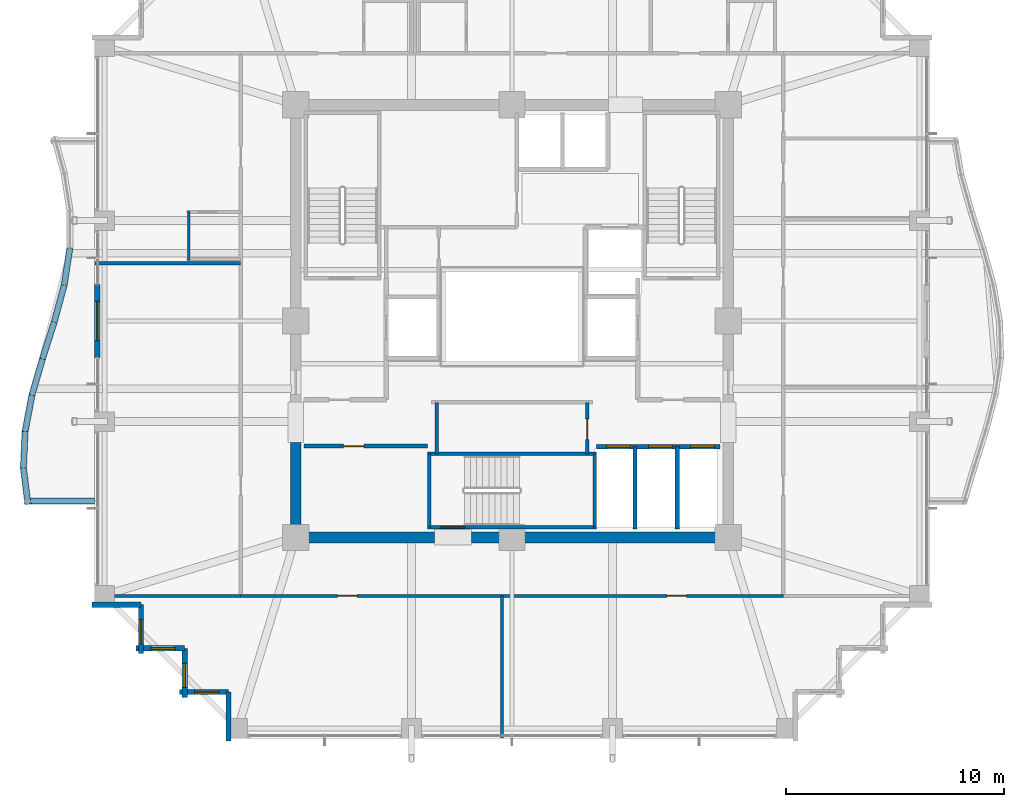
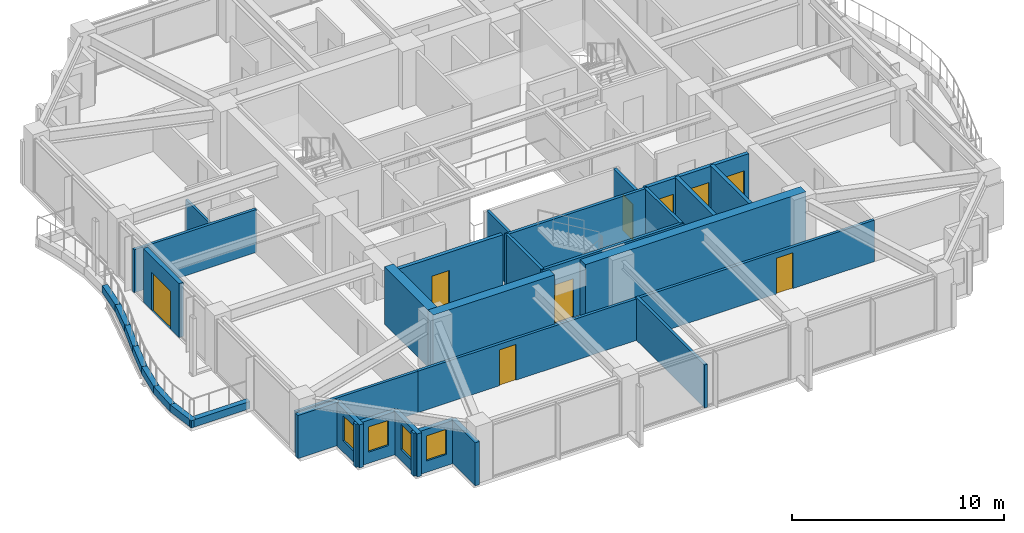
# One storey, part 30 of 35: 33 walls, 9 doors, 4 windows, 13 openings.
"""IFC4 building model written with IfcOpenShell, lengths in metres."""

from ifc_helpers import new_model, si_unit, direction, frame, frame_2d, origin, place, context, subcontext, project, spatial, rectangle, extrude, material, layer, layer_set, type_object, element, fill, save


model = new_model("IFC4")

# Units and contexts
model_context = context("Model", 3, precision=1e-05, world=origin(), true_north=direction((0.0, 1.0)))
body_context = subcontext(model_context, "Body", "Model", "MODEL_VIEW")
ifc_project = project(units=[si_unit("LENGTHUNIT", "METRE"), si_unit("AREAUNIT", "SQUARE_METRE"), si_unit("VOLUMEUNIT", "CUBIC_METRE"), si_unit("PLANEANGLEUNIT", "RADIAN"), si_unit("MASSUNIT", "GRAM", prefix="KILO")], contexts=[model_context])

# Site, building, storey
site_placement = place(None, origin())
site = spatial("IfcSite", under=ifc_project, at=site_placement, CompositionType="ELEMENT")
building_placement = place(site_placement, origin())
building = spatial("IfcBuilding", under=site, at=building_placement, Name="Kolvaren Belvedere", CompositionType="ELEMENT")
storey_placement = place(building_placement, frame((0.0, 0.0, 163.5)))
storey = spatial("IfcBuildingStorey", under=building, at=storey_placement, Name="L47", CompositionType="ELEMENT", Elevation=163.5)

# Walls
ifc_material_1 = material(Name="Concrete C50/60", Category="concrete")
ifc_layer_1 = layer(ifc_material_1, 0.5)
ifc_layer_set_1 = layer_set([ifc_layer_1], Name="Concrete C50/60")
wall_type_1 = type_object("IfcWallType", Name="CW-CORE-500", PredefinedType="SHEAR", material=ifc_layer_set_1)
wall_1_placement = place(storey_placement, frame((10.14990234375, -9.89990234375, 0.0), z_axis=(0.0, 0.0, 1.0), x_axis=(-1.0, 0.0, 0.0)))
element("IfcWall", 1, at=wall_1_placement, inside=storey, type_object=wall_type_1, Name="L47 South Core Shear Wall 1", PredefinedType="SHEAR", context=body_context, shape_type="SweptSolid", body=[
    extrude(rectangle(XDim=12.010009765625, YDim=0.5, at=frame_2d((6.0048828125, 0.0))), origin(), (0.0, 0.0, 1.0), 3.300048828125),
])
wall_2_placement = place(storey_placement, frame((-3.5400390625, -9.89990234375, 0.0), z_axis=(0.0, 0.0, 1.0), x_axis=(-1.0, 0.0, 0.0)))
element("IfcWall", 2, at=wall_2_placement, inside=storey, type_object=wall_type_1, Name="L47 South Core Shear Wall 2", PredefinedType="SHEAR", context=body_context, shape_type="SweptSolid", body=[
    extrude(rectangle(XDim=6.60986328125, YDim=0.5, at=frame_2d((3.304931640625, 0.0))), origin(), (0.0, 0.0, 1.0), 3.300048828125),
])
wall_3_placement = place(storey_placement, frame((-9.89990234375, -9.64990234375, 0.0), z_axis=(0.0, 0.0, 1.0), x_axis=(0.0, 1.0, 0.0)))
element("IfcWall", 3, at=wall_3_placement, inside=storey, type_object=wall_type_1, Name="L47 West Core Shear Wall 1", PredefinedType="SHEAR", context=body_context, shape_type="SweptSolid", body=[
    extrude(rectangle(XDim=4.099853515625, YDim=0.5, at=frame_2d((2.0498046875, 0.0))), origin(), (0.0, 0.0, 1.0), 3.300048828125),
])

# Wall, opening, door
ifc_material_2 = material(Name="Concrete C50/60", Category="concrete")
ifc_layer_2 = layer(ifc_material_2, 0.159912109375)
ifc_layer_set_2 = layer_set([ifc_layer_2], Name="Concrete C50/60")
wall_type_2 = type_object("IfcWallType", Name="CW-STAIR-160", PredefinedType="SHEAR", material=ifc_layer_set_2)
wall_4_placement = place(storey_placement, frame((3.860107421875, -9.429931640625, 0.0), z_axis=(0.0, 0.0, 1.0), x_axis=(-1.0, 0.0, 0.0)))
wall_4 = element("IfcWall", 4, at=wall_4_placement, inside=storey, type_object=wall_type_2, Name="L47 Stair ST-3 South Shear Wall", PredefinedType="SHEAR", context=body_context, shape_type="SweptSolid", body=[
    extrude(rectangle(XDim=7.72021484375, YDim=0.159912109375, at=frame_2d((3.860107421875, 0.0))), origin(), (0.0, 0.0, 1.0), 3.300048828125),
])
opening_1_placement = place(wall_4_placement, frame((6.010009765625, 0.0, 0.0)))
opening_1 = element("IfcOpeningElement", 5, at=opening_1_placement, cuts=wall_4, Name="Opening D-FD90", PredefinedType="OPENING", context=body_context, shape_type="SweptSolid", body=[
    extrude(rectangle(XDim=1.10009765625, YDim=2.199951171875, at=frame_2d((0.550048828125, 1.10009765625))), frame((0.0, 0.08984375, 0.0), z_axis=(0.0, -1.0, 0.0), x_axis=(1.0, 0.0, 0.0)), (0.0, 0.0, 1.0), 0.179931640625),
])
ifc_material_3 = material(Name="Painted hollow stainless steel", Category="steel")
door_type_1 = type_object("IfcDoorType", Name="DR-FD90-1100", OperationType="NOTDEFINED", PredefinedType="DOOR", material=ifc_material_3)
door_1_placement = place(opening_1_placement, origin())
door_1 = element("IfcDoor", 6, at=door_1_placement, inside=storey, type_object=door_type_1, Name="L47 Stair ST-3 Exit Door", OperationType="SINGLE_SWING_RIGHT", OverallHeight=2.199951171875, OverallWidth=1.10009765625, PredefinedType="DOOR", context=body_context, shape_type="SweptSolid", body=[
    extrude(rectangle(XDim=1.10009765625, YDim=2.199951171875, at=frame_2d((0.550048828125, 1.10009765625))), frame((0.0, 0.02490234375, 0.0), z_axis=(0.0, -1.0, 0.0), x_axis=(1.0, 0.0, 0.0)), (0.0, 0.0, 1.0), 0.050048828125),
])
fill(opening_1, door_1)

# Walls
wall_5_placement = place(storey_placement, frame((-3.860107421875, -6.080078125, 0.0), z_axis=(0.0, 0.0, 1.0), x_axis=(1.0, 0.0, 0.0)))
element("IfcWall", 7, at=wall_5_placement, inside=storey, type_object=wall_type_2, Name="L47 Stair ST-3 North Shear Wall", PredefinedType="SHEAR", context=body_context, shape_type="SweptSolid", body=[
    extrude(rectangle(XDim=7.72021484375, YDim=0.159912109375, at=frame_2d((3.860107421875, 0.0))), origin(), (0.0, 0.0, 1.0), 3.300048828125),
])
for number, where, z_axis, x_axis, name in (
    (8, (-3.780029296875, -9.429931640625, 0.0), (0.0, 0.0, 1.0), (0.0, 1.0, 0.0), "L47 Stair ST-3 West Shear Wall"),
    (9, (3.780029296875, -9.429931640625, 0.0), (0.0, 0.0, 1.0), (0.0, 1.0, 0.0), "L47 Stair ST-3 East Shear Wall"),
):
    element("IfcWall", number, at=place(storey_placement, frame(where, z_axis=z_axis, x_axis=x_axis)), inside=storey, type_object=wall_type_2, Name=name, PredefinedType="SHEAR", context=body_context, shape_type="SweptSolid", body=[
        extrude(rectangle(XDim=3.349853515625, YDim=0.159912109375, at=frame_2d((1.6748046875, 0.0))), origin(), (0.0, 0.0, 1.0), 3.300048828125),
    ])

# Wall, openings, doors
ifc_material_4 = material(Name="Gypsum fire-rated partition assembly", Category="gypsum")
ifc_layer_3 = layer(ifc_material_4, 0.14990234375)
ifc_layer_set_3 = layer_set([ifc_layer_3], Name="Gypsum fire-rated partition assembly")
wall_type_3 = type_object("IfcWallType", Name="WL-CORR-150", PredefinedType="PARTITIONING", material=ifc_layer_set_3)
wall_6_placement = place(storey_placement, frame((-12.419921875, -12.580078125, 0.0), z_axis=(0.0, 0.0, 1.0), x_axis=(1.0, 0.0, 0.0)))
wall_6 = element("IfcWall", 10, at=wall_6_placement, inside=storey, type_object=wall_type_3, Name="L47 South Corridor Wall", PredefinedType="PARTITIONING", context=body_context, shape_type="SweptSolid", body=[
    extrude(rectangle(XDim=24.83984375, YDim=0.14990234375, at=frame_2d((12.419921875, 0.0))), origin(), (0.0, 0.0, 1.0), 2.388916015625),
])
opening_2_placement = place(wall_6_placement, frame((4.43505859375, 0.0, 0.0)))
opening_2 = element("IfcOpeningElement", 11, at=opening_2_placement, cuts=wall_6, Name="Opening D-INT90", PredefinedType="OPENING", context=body_context, shape_type="SweptSolid", body=[
    extrude(rectangle(XDim=0.89990234375, YDim=2.06005859375, at=frame_2d((0.449951171875, 1.030029296875))), frame((0.0, 0.0849609375, 0.0), z_axis=(0.0, -1.0, 0.0), x_axis=(1.0, 0.0, 0.0)), (0.0, 0.0, 1.0), 0.169921875),
])
opening_3_placement = place(wall_6_placement, frame((19.5048828125, 0.0, 0.0)))
opening_3 = element("IfcOpeningElement", 12, at=opening_3_placement, cuts=wall_6, Name="Opening D-INT90", PredefinedType="OPENING", context=body_context, shape_type="SweptSolid", body=[
    extrude(rectangle(XDim=0.89990234375, YDim=2.06005859375, at=frame_2d((0.449951171875, 1.030029296875))), frame((0.0, 0.0849609375, 0.0), z_axis=(0.0, -1.0, 0.0), x_axis=(1.0, 0.0, 0.0)), (0.0, 0.0, 1.0), 0.169921875),
])
ifc_material_5 = material(Name="Stained Pacific white oak", Category="timber")
door_type_2 = type_object("IfcDoorType", Name="DR-INT-900", OperationType="NOTDEFINED", PredefinedType="DOOR", material=ifc_material_5)
door_2_placement = place(opening_2_placement, origin())
door_2 = element("IfcDoor", 13, at=door_2_placement, inside=storey, type_object=door_type_2, Name="L47 Lounge 4701 Door", OperationType="SINGLE_SWING_LEFT", OverallHeight=2.06005859375, OverallWidth=0.89990234375, PredefinedType="DOOR", context=body_context, shape_type="SweptSolid", body=[
    extrude(rectangle(XDim=0.89990234375, YDim=2.06005859375, at=frame_2d((0.449951171875, 1.030029296875))), frame((0.0, 0.02490234375, 0.0), z_axis=(0.0, -1.0, 0.0), x_axis=(1.0, 0.0, 0.0)), (0.0, 0.0, 1.0), 0.050048828125),
])
fill(opening_2, door_2)
door_3_placement = place(opening_3_placement, origin())
door_3 = element("IfcDoor", 14, at=door_3_placement, inside=storey, type_object=door_type_2, Name="L47 Lounge 4702 Door", OperationType="SINGLE_SWING_RIGHT", OverallHeight=2.06005859375, OverallWidth=0.89990234375, PredefinedType="DOOR", context=body_context, shape_type="SweptSolid", body=[
    extrude(rectangle(XDim=0.89990234375, YDim=2.06005859375, at=frame_2d((0.449951171875, 1.030029296875))), frame((0.0, 0.02490234375, 0.0), z_axis=(0.0, -1.0, 0.0), x_axis=(1.0, 0.0, 0.0)), (0.0, 0.0, 1.0), 0.050048828125),
])
fill(opening_3, door_3)

# Wall, opening, door
ifc_material_6 = material(Name="Insulated pale-metal facade wall assembly", Category="aluminium")
ifc_layer_4 = layer(ifc_material_6, 0.239990234375)
ifc_layer_set_4 = layer_set([ifc_layer_4], Name="Insulated pale-metal facade wall assembly")
wall_type_4 = type_object("IfcWallType", Name="WL-EXT-240", PredefinedType="STANDARD", material=ifc_layer_set_4)
wall_7_placement = place(storey_placement, frame((-18.97998046875, -1.679931640625, 0.0), z_axis=(0.0, 0.0, 1.0), x_axis=(0.0, 1.0, 0.0)))
wall_7 = element("IfcWall", 15, at=wall_7_placement, inside=storey, type_object=wall_type_4, Name="L47 West Terrace Portal Wall", PredefinedType="STANDARD", context=body_context, shape_type="SweptSolid", body=[
    extrude(rectangle(XDim=3.35986328125, YDim=0.239990234375, at=frame_2d((1.679931640625, 0.0))), origin(), (0.0, 0.0, 1.0), 3.10009765625),
])
opening_4_placement = place(wall_7_placement, frame((0.780029296875, 0.0, 0.0)))
opening_4 = element("IfcOpeningElement", 16, at=opening_4_placement, cuts=wall_7, Name="Opening DB-1800", PredefinedType="OPENING", context=body_context, shape_type="SweptSolid", body=[
    extrude(rectangle(XDim=1.800048828125, YDim=2.199951171875, at=frame_2d((0.89990234375, 1.10009765625))), frame((0.0, 0.1298828125, 0.0), z_axis=(0.0, -1.0, 0.0), x_axis=(1.0, 0.0, 0.0)), (0.0, 0.0, 1.0), 0.260009765625),
])
ifc_material_7 = material(Name="Thermally broken pale-metal aluminium & low-iron glass", Category="aluminium")
door_type_3 = type_object("IfcDoorType", Name="DR-BAL-1800", OperationType="DOUBLE_DOOR_SLIDING", PredefinedType="DOOR", material=ifc_material_7)
door_4_placement = place(opening_4_placement, origin())
door_4 = element("IfcDoor", 17, at=door_4_placement, inside=storey, type_object=door_type_3, Name="L47 West Planted Terrace Sliding Door", OperationType="DOUBLE_DOOR_SLIDING", OverallHeight=2.199951171875, OverallWidth=1.800048828125, PredefinedType="DOOR", context=body_context, shape_type="SweptSolid", body=[
    extrude(rectangle(XDim=1.800048828125, YDim=2.199951171875, at=frame_2d((0.89990234375, 1.10009765625))), frame((0.0, 0.02490234375, 0.0), z_axis=(0.0, -1.0, 0.0), x_axis=(1.0, 0.0, 0.0)), (0.0, 0.0, 1.0), 0.050048828125),
])
fill(opening_4, door_4)

# Wall
wall_8_placement = place(storey_placement, frame((-16.97998046875, -12.97998046875, 0.0), z_axis=(0.0, 0.0, 1.0), x_axis=(-1.0, 0.0, 0.0)))
element("IfcWall", 18, at=wall_8_placement, inside=storey, type_object=wall_type_4, Name="L47 Serrated Corner Facade Wall 23", PredefinedType="STANDARD", context=body_context, shape_type="SweptSolid", body=[
    extrude(rectangle(XDim=2.239990234375, YDim=0.239990234375, at=frame_2d((1.1201171875, 0.0))), origin(), (0.0, 0.0, 1.0), 2.48291015625),
])

# Wall, opening, window
wall_9_placement = place(storey_placement, frame((-16.97998046875, -15.219970703125, 0.0), z_axis=(0.0, 0.0, 1.0), x_axis=(0.0, 1.0, 0.0)))
wall_9 = element("IfcWall", 19, at=wall_9_placement, inside=storey, type_object=wall_type_4, Name="L47 Serrated Corner Facade Wall 24", PredefinedType="STANDARD", context=body_context, shape_type="SweptSolid", body=[
    extrude(rectangle(XDim=2.239990234375, YDim=0.239990234375, at=frame_2d((1.1201171875, 0.0))), origin(), (0.0, 0.0, 1.0), 2.48291015625),
])
opening_5_placement = place(wall_9_placement, frame((0.449951171875, 0.0, 0.64990234375)))
opening_5 = element("IfcOpeningElement", 20, at=opening_5_placement, cuts=wall_9, Name="Opening W-1100", PredefinedType="OPENING", context=body_context, shape_type="SweptSolid", body=[
    extrude(rectangle(XDim=1.10009765625, YDim=1.449951171875, at=frame_2d((0.550048828125, 0.72509765625))), frame((0.0, 0.1298828125, 0.0), z_axis=(0.0, -1.0, 0.0), x_axis=(1.0, 0.0, 0.0)), (0.0, 0.0, 1.0), 0.260009765625),
])
ifc_material_8 = material(Name="Low-iron triple insulated glass", Category="glass")
window_type = type_object("IfcWindowType", Name="WN-CORN-1100", PartitioningType="SINGLE_PANEL", PredefinedType="WINDOW", material=ifc_material_8)
window_1_placement = place(opening_5_placement, origin())
window_1 = element("IfcWindow", 21, at=window_1_placement, inside=storey, type_object=window_type, Name="L47 Serrated Corner Vision Window 24", OverallHeight=1.449951171875, OverallWidth=1.10009765625, PartitioningType="SINGLE_PANEL", PredefinedType="WINDOW", context=body_context, shape_type="SweptSolid", body=[
    extrude(rectangle(XDim=1.10009765625, YDim=1.449951171875, at=frame_2d((0.550048828125, 0.72509765625))), frame((0.0, 0.030029296875, 0.0), z_axis=(0.0, -1.0, 0.0), x_axis=(1.0, 0.0, 0.0)), (0.0, 0.0, 1.0), 0.06005859375),
])
fill(opening_5, window_1)

wall_10_placement = place(storey_placement, frame((-14.97998046875, -14.97998046875, 0.0), z_axis=(0.0, 0.0, 1.0), x_axis=(-1.0, 0.0, 0.0)))
wall_10 = element("IfcWall", 22, at=wall_10_placement, inside=storey, type_object=wall_type_4, Name="L47 Serrated Corner Facade Wall 25", PredefinedType="STANDARD", context=body_context, shape_type="SweptSolid", body=[
    extrude(rectangle(XDim=2.239990234375, YDim=0.239990234375, at=frame_2d((1.1201171875, 0.0))), origin(), (0.0, 0.0, 1.0), 2.48291015625),
])
opening_6_placement = place(wall_10_placement, frame((0.449951171875, 0.0, 0.64990234375)))
opening_6 = element("IfcOpeningElement", 23, at=opening_6_placement, cuts=wall_10, Name="Opening W-1100", PredefinedType="OPENING", context=body_context, shape_type="SweptSolid", body=[
    extrude(rectangle(XDim=1.10009765625, YDim=1.449951171875, at=frame_2d((0.550048828125, 0.72509765625))), frame((0.0, 0.1298828125, 0.0), z_axis=(0.0, -1.0, 0.0), x_axis=(1.0, 0.0, 0.0)), (0.0, 0.0, 1.0), 0.260009765625),
])
window_2_placement = place(opening_6_placement, origin())
window_2 = element("IfcWindow", 24, at=window_2_placement, inside=storey, type_object=window_type, Name="L47 Serrated Corner Vision Window 25", OverallHeight=1.449951171875, OverallWidth=1.10009765625, PartitioningType="SINGLE_PANEL", PredefinedType="WINDOW", context=body_context, shape_type="SweptSolid", body=[
    extrude(rectangle(XDim=1.10009765625, YDim=1.449951171875, at=frame_2d((0.550048828125, 0.72509765625))), frame((0.0, 0.030029296875, 0.0), z_axis=(0.0, -1.0, 0.0), x_axis=(1.0, 0.0, 0.0)), (0.0, 0.0, 1.0), 0.06005859375),
])
fill(opening_6, window_2)

wall_11_placement = place(storey_placement, frame((-14.97998046875, -17.219970703125, 0.0), z_axis=(0.0, 0.0, 1.0), x_axis=(0.0, 1.0, 0.0)))
wall_11 = element("IfcWall", 25, at=wall_11_placement, inside=storey, type_object=wall_type_4, Name="L47 Serrated Corner Facade Wall 26", PredefinedType="STANDARD", context=body_context, shape_type="SweptSolid", body=[
    extrude(rectangle(XDim=2.239990234375, YDim=0.239990234375, at=frame_2d((1.1201171875, 0.0))), origin(), (0.0, 0.0, 1.0), 2.48291015625),
])
opening_7_placement = place(wall_11_placement, frame((0.449951171875, 0.0, 0.64990234375)))
opening_7 = element("IfcOpeningElement", 26, at=opening_7_placement, cuts=wall_11, Name="Opening W-1100", PredefinedType="OPENING", context=body_context, shape_type="SweptSolid", body=[
    extrude(rectangle(XDim=1.10009765625, YDim=1.449951171875, at=frame_2d((0.550048828125, 0.72509765625))), frame((0.0, 0.1298828125, 0.0), z_axis=(0.0, -1.0, 0.0), x_axis=(1.0, 0.0, 0.0)), (0.0, 0.0, 1.0), 0.260009765625),
])
window_3_placement = place(opening_7_placement, origin())
window_3 = element("IfcWindow", 27, at=window_3_placement, inside=storey, type_object=window_type, Name="L47 Serrated Corner Vision Window 26", OverallHeight=1.449951171875, OverallWidth=1.10009765625, PartitioningType="SINGLE_PANEL", PredefinedType="WINDOW", context=body_context, shape_type="SweptSolid", body=[
    extrude(rectangle(XDim=1.10009765625, YDim=1.449951171875, at=frame_2d((0.550048828125, 0.72509765625))), frame((0.0, 0.030029296875, 0.0), z_axis=(0.0, -1.0, 0.0), x_axis=(1.0, 0.0, 0.0)), (0.0, 0.0, 1.0), 0.06005859375),
])
fill(opening_7, window_3)

wall_12_placement = place(storey_placement, frame((-12.97998046875, -16.97998046875, 0.0), z_axis=(0.0, 0.0, 1.0), x_axis=(-1.0, 0.0, 0.0)))
wall_12 = element("IfcWall", 28, at=wall_12_placement, inside=storey, type_object=wall_type_4, Name="L47 Serrated Corner Facade Wall 27", PredefinedType="STANDARD", context=body_context, shape_type="SweptSolid", body=[
    extrude(rectangle(XDim=2.239990234375, YDim=0.239990234375, at=frame_2d((1.1201171875, 0.0))), origin(), (0.0, 0.0, 1.0), 2.48291015625),
])
opening_8_placement = place(wall_12_placement, frame((0.449951171875, 0.0, 0.64990234375)))
opening_8 = element("IfcOpeningElement", 29, at=opening_8_placement, cuts=wall_12, Name="Opening W-1100", PredefinedType="OPENING", context=body_context, shape_type="SweptSolid", body=[
    extrude(rectangle(XDim=1.10009765625, YDim=1.449951171875, at=frame_2d((0.550048828125, 0.72509765625))), frame((0.0, 0.1298828125, 0.0), z_axis=(0.0, -1.0, 0.0), x_axis=(1.0, 0.0, 0.0)), (0.0, 0.0, 1.0), 0.260009765625),
])
window_4_placement = place(opening_8_placement, origin())
window_4 = element("IfcWindow", 30, at=window_4_placement, inside=storey, type_object=window_type, Name="L47 Serrated Corner Vision Window 27", OverallHeight=1.449951171875, OverallWidth=1.10009765625, PartitioningType="SINGLE_PANEL", PredefinedType="WINDOW", context=body_context, shape_type="SweptSolid", body=[
    extrude(rectangle(XDim=1.10009765625, YDim=1.449951171875, at=frame_2d((0.550048828125, 0.72509765625))), frame((0.0, 0.030029296875, 0.0), z_axis=(0.0, -1.0, 0.0), x_axis=(1.0, 0.0, 0.0)), (0.0, 0.0, 1.0), 0.06005859375),
])
fill(opening_8, window_4)

# Wall
wall_13_placement = place(storey_placement, frame((-12.97998046875, -19.219970703125, 0.0), z_axis=(0.0, 0.0, 1.0), x_axis=(0.0, 1.0, 0.0)))
element("IfcWall", 31, at=wall_13_placement, inside=storey, type_object=wall_type_4, Name="L47 Serrated Corner Facade Wall 28", PredefinedType="STANDARD", context=body_context, shape_type="SweptSolid", body=[
    extrude(rectangle(XDim=2.239990234375, YDim=0.239990234375, at=frame_2d((1.1201171875, 0.0))), origin(), (0.0, 0.0, 1.0), 2.48291015625),
])

# Wall, opening, door
ifc_material_9 = material(Name="Gypsum acoustic partition assembly", Category="gypsum")
ifc_layer_5 = layer(ifc_material_9, 0.14990234375)
ifc_layer_set_5 = layer_set([ifc_layer_5], Name="Gypsum acoustic partition assembly")
wall_type_5 = type_object("IfcWallType", Name="WL-PART-150", PredefinedType="PARTITIONING", material=ifc_layer_set_5)
wall_14_placement = place(storey_placement, frame((3.449951171875, -6.080078125, 0.0), z_axis=(0.0, 0.0, 1.0), x_axis=(0.0, 1.0, 0.0)))
wall_14 = element("IfcWall", 32, at=wall_14_placement, inside=storey, type_object=wall_type_5, Name="L47 South Core Service East Wall", PredefinedType="PARTITIONING", context=body_context, shape_type="SweptSolid", body=[
    extrude(rectangle(XDim=2.360107421875, YDim=0.14990234375, at=frame_2d((1.18017578125, 0.0))), origin(), (0.0, 0.0, 1.0), 3.10009765625),
])
opening_9_placement = place(wall_14_placement, frame((0.64990234375, 0.0, 0.0)))
opening_9 = element("IfcOpeningElement", 33, at=opening_9_placement, cuts=wall_14, Name="Opening D-FD60", PredefinedType="OPENING", context=body_context, shape_type="SweptSolid", body=[
    extrude(rectangle(XDim=0.949951171875, YDim=2.06005859375, at=frame_2d((0.47509765625, 1.030029296875))), frame((0.0, 0.0849609375, 0.0), z_axis=(0.0, -1.0, 0.0), x_axis=(1.0, 0.0, 0.0)), (0.0, 0.0, 1.0), 0.169921875),
])
ifc_material_10 = material(Name="Acoustic white-oak fire door leaf", Category="timber")
door_type_4 = type_object("IfcDoorType", Name="DR-FD60-950", OperationType="NOTDEFINED", PredefinedType="DOOR", material=ifc_material_10)
door_5_placement = place(opening_9_placement, origin())
door_5 = element("IfcDoor", 34, at=door_5_placement, inside=storey, type_object=door_type_4, Name="L47 Core Service Room Door", OperationType="SINGLE_SWING_LEFT", OverallHeight=2.06005859375, OverallWidth=0.949951171875, PredefinedType="DOOR", context=body_context, shape_type="SweptSolid", body=[
    extrude(rectangle(XDim=0.949951171875, YDim=2.06005859375, at=frame_2d((0.47509765625, 1.030029296875))), frame((0.0, 0.02490234375, 0.0), z_axis=(0.0, -1.0, 0.0), x_axis=(1.0, 0.0, 0.0)), (0.0, 0.0, 1.0), 0.050048828125),
])
fill(opening_9, door_5)

# Walls
wall_15_placement = place(storey_placement, frame((-3.449951171875, -6.080078125, 0.0), z_axis=(0.0, 0.0, 1.0), x_axis=(0.0, 1.0, 0.0)))
element("IfcWall", 35, at=wall_15_placement, inside=storey, type_object=wall_type_5, Name="L47 South Core Service West Wall", PredefinedType="PARTITIONING", context=body_context, shape_type="SweptSolid", body=[
    extrude(rectangle(XDim=2.360107421875, YDim=0.14990234375, at=frame_2d((1.18017578125, 0.0))), origin(), (0.0, 0.0, 1.0), 3.10009765625),
])
wall_16_placement = place(storey_placement, frame((-19.080078125, -12.580078125, 0.0), z_axis=(0.0, 0.0, 1.0), x_axis=(1.0, 0.0, 0.0)))
element("IfcWall", 36, at=wall_16_placement, inside=storey, type_object=wall_type_5, Name="L47 Wing Divider PW-L47-QSW", PredefinedType="PARTITIONING", context=body_context, shape_type="SweptSolid", body=[
    extrude(rectangle(XDim=6.66015625, YDim=0.14990234375, at=frame_2d((3.330078125, 0.0))), origin(), (0.0, 0.0, 1.0), 2.388916015625),
])
wall_17_placement = place(storey_placement, frame((-0.4599609375, -19.080078125, 0.0), z_axis=(0.0, 0.0, 1.0), x_axis=(0.0, 1.0, 0.0)))
element("IfcWall", 37, at=wall_17_placement, inside=storey, type_object=wall_type_5, Name="L47 South Suite Demising Wall 1", PredefinedType="PARTITIONING", context=body_context, shape_type="SweptSolid", body=[
    extrude(rectangle(XDim=6.5, YDim=0.14990234375, at=frame_2d((3.25, 0.0))), origin(), (0.0, 0.0, 1.0), 2.472900390625),
])
wall_18_placement = place(storey_placement, frame((-19.080078125, 2.64404296875, 0.0), z_axis=(0.0, 0.0, 1.0), x_axis=(1.0, 0.0, 0.0)))
element("IfcWall", 38, at=wall_18_placement, inside=storey, type_object=wall_type_5, Name="L47 West Suite Demising Wall 1", PredefinedType="PARTITIONING", context=body_context, shape_type="SweptSolid", body=[
    extrude(rectangle(XDim=6.66015625, YDim=0.14990234375, at=frame_2d((3.330078125, 0.0))), origin(), (0.0, 0.0, 1.0), 2.472900390625),
])
ifc_material_11 = material(Name="Precast concrete C40/50", Category="concrete")
ifc_layer_6 = layer(ifc_material_11, 0.300048828125)
ifc_layer_set_6 = layer_set([ifc_layer_6], Name="Precast concrete C40/50")
wall_type_6 = type_object("IfcWallType", Name="WL-PLANTER-300", PredefinedType="PARAPET", material=ifc_layer_set_6)
wall_19_placement = place(storey_placement, frame((-20.23583984375, 3.335693359375, -0.02001953125), z_axis=(0.0, 0.0, 1.0), x_axis=(-0.152229849666, -0.988345118302, 0.0)))
element("IfcWall", 39, at=wall_19_placement, inside=storey, type_object=wall_type_6, Name="L47 Precast Structural Planter Wall BAL-W-4", PredefinedType="PARAPET", context=body_context, shape_type="SweptSolid", body=[
    extrude(rectangle(XDim=1.699951171875, YDim=0.280029296875, at=frame_2d((0.85009765625, 0.0))), origin(), (0.0, 0.0, 1.0), 0.419921875),
])
wall_20_placement = place(storey_placement, frame((-20.498291015625, 1.63818359375, -0.02001953125), z_axis=(0.0, 0.0, 1.0), x_axis=(-0.260682852326, -0.965424492388, 0.0)))
element("IfcWall", 40, at=wall_20_placement, inside=storey, type_object=wall_type_6, Name="L47 Precast Structural Planter Wall BAL-W-5", PredefinedType="PARAPET", context=body_context, shape_type="SweptSolid", body=[
    extrude(rectangle(XDim=1.739990234375, YDim=0.280029296875, at=frame_2d((0.8701171875, 0.0))), origin(), (0.0, 0.0, 1.0), 0.419921875),
])
wall_21_placement = place(storey_placement, frame((-20.953857421875, -0.048583984375, -0.02001953125), z_axis=(0.0, 0.0, 1.0), x_axis=(-0.304032153573, -0.952661770826, 0.0)))
element("IfcWall", 41, at=wall_21_placement, inside=storey, type_object=wall_type_6, Name="L47 Precast Structural Planter Wall BAL-W-6", PredefinedType="PARAPET", context=body_context, shape_type="SweptSolid", body=[
    extrude(rectangle(XDim=1.763427734375, YDim=0.280029296875, at=frame_2d((0.8818359375, 0.0))), origin(), (0.0, 0.0, 1.0), 0.419921875),
])
wall_22_placement = place(storey_placement, frame((-21.48876953125, -1.724609375, -0.02001953125), z_axis=(0.0, 0.0, 1.0), x_axis=(-0.277817391164, -0.960633903819, 0.0)))
element("IfcWall", 42, at=wall_22_placement, inside=storey, type_object=wall_type_6, Name="L47 Precast Structural Planter Wall BAL-W-7", PredefinedType="PARAPET", context=body_context, shape_type="SweptSolid", body=[
    extrude(rectangle(XDim=1.748779296875, YDim=0.280029296875, at=frame_2d((0.87451171875, 0.0))), origin(), (0.0, 0.0, 1.0), 0.419921875),
])
wall_23_placement = place(storey_placement, frame((-21.97119140625, -3.3896484375, -0.02001953125), z_axis=(0.0, 0.0, 1.0), x_axis=(-0.184814532932, -0.982773416621, 0.0)))
element("IfcWall", 43, at=wall_23_placement, inside=storey, type_object=wall_type_6, Name="L47 Precast Structural Planter Wall BAL-W-8", PredefinedType="PARAPET", context=body_context, shape_type="SweptSolid", body=[
    extrude(rectangle(XDim=1.70947265625, YDim=0.280029296875, at=frame_2d((0.854736328125, 0.0))), origin(), (0.0, 0.0, 1.0), 0.419921875),
])
wall_24_placement = place(storey_placement, frame((-22.284423828125, -5.047119140625, -0.02001953125), z_axis=(0.0, 0.0, 1.0), x_axis=(-0.044999415011, -0.998987013253, 0.0)))
element("IfcWall", 44, at=wall_24_placement, inside=storey, type_object=wall_type_6, Name="L47 Precast Structural Planter Wall BAL-W-9", PredefinedType="PARAPET", context=body_context, shape_type="SweptSolid", body=[
    extrude(rectangle(XDim=1.681884765625, YDim=0.280029296875, at=frame_2d((0.8408203125, 0.0))), origin(), (0.0, 0.0, 1.0), 0.419921875),
])
wall_25_placement = place(storey_placement, frame((-22.361083984375, -6.700439453125, -0.02001953125), z_axis=(0.0, 0.0, 1.0), x_axis=(0.121868867697, -0.992546210051, 0.0)))
element("IfcWall", 45, at=wall_25_placement, inside=storey, type_object=wall_type_6, Name="L47 Precast Structural Planter Wall BAL-W-10", PredefinedType="PARAPET", context=body_context, shape_type="SweptSolid", body=[
    extrude(rectangle(XDim=1.69287109375, YDim=0.280029296875, at=frame_2d((0.846435546875, 0.0))), origin(), (0.0, 0.0, 1.0), 0.419921875),
])
wall_26_placement = place(storey_placement, frame((-22.313720703125, -8.239990234375, -0.02001953125), z_axis=(0.0, 0.0, 1.0), x_axis=(1.0, 0.0, 0.0)))
element("IfcWall", 46, at=wall_26_placement, inside=storey, type_object=wall_type_6, Name="L47 Precast Structural Planter Wall BAL-W-11", PredefinedType="PARAPET", context=body_context, shape_type="SweptSolid", body=[
    extrude(rectangle(XDim=3.213623046875, YDim=0.280029296875, at=frame_2d((1.60693359375, 0.0))), origin(), (0.0, 0.0, 1.0), 0.419921875),
])

# Wall, opening, door
ifc_material_12 = material(Name="Concrete C50/60", Category="concrete")
ifc_layer_7 = layer(ifc_material_12, 0.199951171875)
ifc_layer_set_7 = layer_set([ifc_layer_7], Name="Concrete C50/60")
wall_type_7 = type_object("IfcWallType", Name="WL-SHAFT-200", PredefinedType="SOLIDWALL", material=ifc_layer_set_7)
wall_27_placement = place(storey_placement, frame((-9.52001953125, -5.719970703125, 0.0), z_axis=(0.0, 0.0, 1.0), x_axis=(1.0, 0.0, 0.0)))
wall_27 = element("IfcWall", 47, at=wall_27_placement, inside=storey, type_object=wall_type_7, Name="L47 Reclaimed Mid Room North Wall", PredefinedType="SOLIDWALL", context=body_context, shape_type="SweptSolid", body=[
    extrude(rectangle(XDim=5.659912109375, YDim=0.199951171875, at=frame_2d((2.830078125, 0.0))), origin(), (0.0, 0.0, 1.0), 3.10009765625),
])
opening_10_placement = place(wall_27_placement, frame((1.800048828125, 0.0, 0.0)))
opening_10 = element("IfcOpeningElement", 48, at=opening_10_placement, cuts=wall_27, Name="Opening D-FD60", PredefinedType="OPENING", context=body_context, shape_type="SweptSolid", body=[
    extrude(rectangle(XDim=0.949951171875, YDim=2.06005859375, at=frame_2d((0.47509765625, 1.030029296875))), frame((0.0, 0.10986328125, 0.0), z_axis=(0.0, -1.0, 0.0), x_axis=(1.0, 0.0, 0.0)), (0.0, 0.0, 1.0), 0.219970703125),
])
door_6_placement = place(opening_10_placement, origin())
door_6 = element("IfcDoor", 49, at=door_6_placement, inside=storey, type_object=door_type_4, Name="L47 Sky Sommelier & Tasting Room Entry Door", OperationType="SINGLE_SWING_LEFT", OverallHeight=2.06005859375, OverallWidth=0.949951171875, PredefinedType="DOOR", context=body_context, shape_type="SweptSolid", body=[
    extrude(rectangle(XDim=0.949951171875, YDim=2.06005859375, at=frame_2d((0.47509765625, 1.030029296875))), frame((0.0, 0.02490234375, 0.0), z_axis=(0.0, -1.0, 0.0), x_axis=(1.0, 0.0, 0.0)), (0.0, 0.0, 1.0), 0.050048828125),
])
fill(opening_10, door_6)

# Wall, openings, doors
wall_28_placement = place(storey_placement, frame((3.860107421875, -5.75, 0.0), z_axis=(0.0, 0.0, 1.0), x_axis=(1.0, 0.0, 0.0)))
wall_28 = element("IfcWall", 50, at=wall_28_placement, inside=storey, type_object=wall_type_7, Name="L47 High-Rise Lift Bank Front Wall", PredefinedType="SOLIDWALL", context=body_context, shape_type="SweptSolid", body=[
    extrude(rectangle(XDim=5.659912109375, YDim=0.199951171875, at=frame_2d((2.830078125, 0.0))), origin(), (0.0, 0.0, 1.0), 3.10009765625),
])
opening_11_placement = place(wall_28_placement, frame((0.4599609375, 0.0, 0.0)))
opening_11 = element("IfcOpeningElement", 51, at=opening_11_placement, cuts=wall_28, Name="Opening LD-11", PredefinedType="OPENING", context=body_context, shape_type="SweptSolid", body=[
    extrude(rectangle(XDim=1.10009765625, YDim=2.199951171875, at=frame_2d((0.550048828125, 1.10009765625))), frame((0.0, 0.10986328125, 0.0), z_axis=(0.0, -1.0, 0.0), x_axis=(1.0, 0.0, 0.0)), (0.0, 0.0, 1.0), 0.219970703125),
])
opening_12_placement = place(wall_28_placement, frame((2.389892578125, 0.0, 0.0)))
opening_12 = element("IfcOpeningElement", 52, at=opening_12_placement, cuts=wall_28, Name="Opening LD-11", PredefinedType="OPENING", context=body_context, shape_type="SweptSolid", body=[
    extrude(rectangle(XDim=1.10009765625, YDim=2.199951171875, at=frame_2d((0.550048828125, 1.10009765625))), frame((0.0, 0.10986328125, 0.0), z_axis=(0.0, -1.0, 0.0), x_axis=(1.0, 0.0, 0.0)), (0.0, 0.0, 1.0), 0.219970703125),
])
opening_13_placement = place(wall_28_placement, frame((4.320068359375, 0.0, 0.0)))
opening_13 = element("IfcOpeningElement", 53, at=opening_13_placement, cuts=wall_28, Name="Opening LD-11", PredefinedType="OPENING", context=body_context, shape_type="SweptSolid", body=[
    extrude(rectangle(XDim=1.10009765625, YDim=2.199951171875, at=frame_2d((0.550048828125, 1.10009765625))), frame((0.0, 0.10986328125, 0.0), z_axis=(0.0, -1.0, 0.0), x_axis=(1.0, 0.0, 0.0)), (0.0, 0.0, 1.0), 0.219970703125),
])
ifc_material_13 = material(Name="Brushed stainless steel", Category="steel")
door_type_5 = type_object("IfcDoorType", Name="DR-LIFT-1100", OperationType="DOUBLE_DOOR_SLIDING", PredefinedType="DOOR", material=ifc_material_13)
door_7_placement = place(opening_11_placement, origin())
door_7 = element("IfcDoor", 54, at=door_7_placement, inside=storey, type_object=door_type_5, Name="L47 Passenger Lift P7 Landing Door", OperationType="DOUBLE_DOOR_SLIDING", OverallHeight=2.199951171875, OverallWidth=1.10009765625, PredefinedType="DOOR", context=body_context, shape_type="SweptSolid", body=[
    extrude(rectangle(XDim=1.10009765625, YDim=2.199951171875, at=frame_2d((0.550048828125, 1.10009765625))), frame((0.0, 0.02490234375, 0.0), z_axis=(0.0, -1.0, 0.0), x_axis=(1.0, 0.0, 0.0)), (0.0, 0.0, 1.0), 0.050048828125),
])
fill(opening_11, door_7)
door_8_placement = place(opening_12_placement, origin())
door_8 = element("IfcDoor", 55, at=door_8_placement, inside=storey, type_object=door_type_5, Name="L47 Passenger Lift P8 Landing Door", OperationType="DOUBLE_DOOR_SLIDING", OverallHeight=2.199951171875, OverallWidth=1.10009765625, PredefinedType="DOOR", context=body_context, shape_type="SweptSolid", body=[
    extrude(rectangle(XDim=1.10009765625, YDim=2.199951171875, at=frame_2d((0.550048828125, 1.10009765625))), frame((0.0, 0.02490234375, 0.0), z_axis=(0.0, -1.0, 0.0), x_axis=(1.0, 0.0, 0.0)), (0.0, 0.0, 1.0), 0.050048828125),
])
fill(opening_12, door_8)
door_9_placement = place(opening_13_placement, origin())
door_9 = element("IfcDoor", 56, at=door_9_placement, inside=storey, type_object=door_type_5, Name="L47 Passenger Lift P9 Landing Door", OperationType="DOUBLE_DOOR_SLIDING", OverallHeight=2.199951171875, OverallWidth=1.10009765625, PredefinedType="DOOR", context=body_context, shape_type="SweptSolid", body=[
    extrude(rectangle(XDim=1.10009765625, YDim=2.199951171875, at=frame_2d((0.550048828125, 1.10009765625))), frame((0.0, 0.02490234375, 0.0), z_axis=(0.0, -1.0, 0.0), x_axis=(1.0, 0.0, 0.0)), (0.0, 0.0, 1.0), 0.050048828125),
])
fill(opening_13, door_9)

# Walls
for number, where, z_axis, x_axis, name in (
    (57, (5.6298828125, -9.52001953125, 0.0), (0.0, 0.0, 1.0), (0.0, 1.0, 0.0), "L47 High-Rise Hoistway Divider 1"),
    (58, (7.56005859375, -9.52001953125, 0.0), (0.0, 0.0, 1.0), (0.0, 1.0, 0.0), "L47 High-Rise Hoistway Divider 2"),
):
    element("IfcWall", number, at=place(storey_placement, frame(where, z_axis=z_axis, x_axis=x_axis)), inside=storey, type_object=wall_type_7, Name=name, PredefinedType="SOLIDWALL", context=body_context, shape_type="SweptSolid", body=[
        extrude(rectangle(XDim=3.77001953125, YDim=0.199951171875, at=frame_2d((1.885009765625, 0.0))), origin(), (0.0, 0.0, 1.0), 3.10009765625),
    ])
ifc_material_14 = material(Name="Moisture-resistant gypsum partition", Category="gypsum")
ifc_layer_8 = layer(ifc_material_14, 0.125)
ifc_layer_set_8 = layer_set([ifc_layer_8], Name="Moisture-resistant gypsum partition")
wall_type_8 = type_object("IfcWallType", Name="WL-WET-125", PredefinedType="PARTITIONING", material=ifc_layer_set_8)
wall_29_placement = place(storey_placement, frame((-14.794921875, 2.779052734375, 0.0), z_axis=(0.0, 0.0, 1.0), x_axis=(0.0, 1.0, 0.0)))
element("IfcWall", 59, at=wall_29_placement, inside=storey, type_object=wall_type_8, Name="L47 Bathroom Partition PW-L47-BTH-8-V", PredefinedType="PARTITIONING", context=body_context, shape_type="SweptSolid", body=[
    extrude(rectangle(XDim=2.27001953125, YDim=0.125, at=frame_2d((1.135009765625, 0.0))), origin(), (0.0, 0.0, 1.0), 2.388916015625),
])

save(model, "model.ifc")
